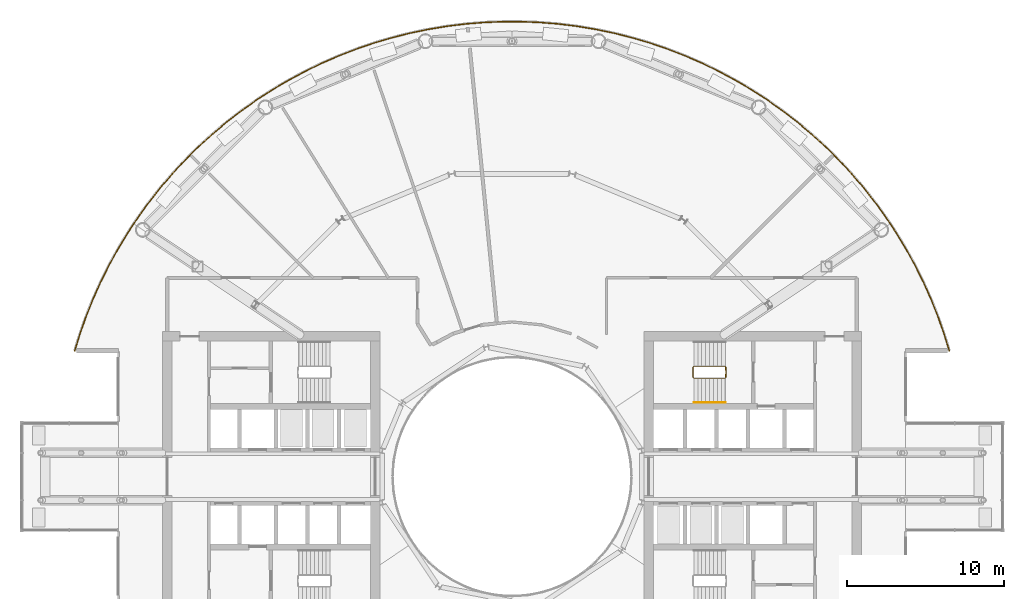
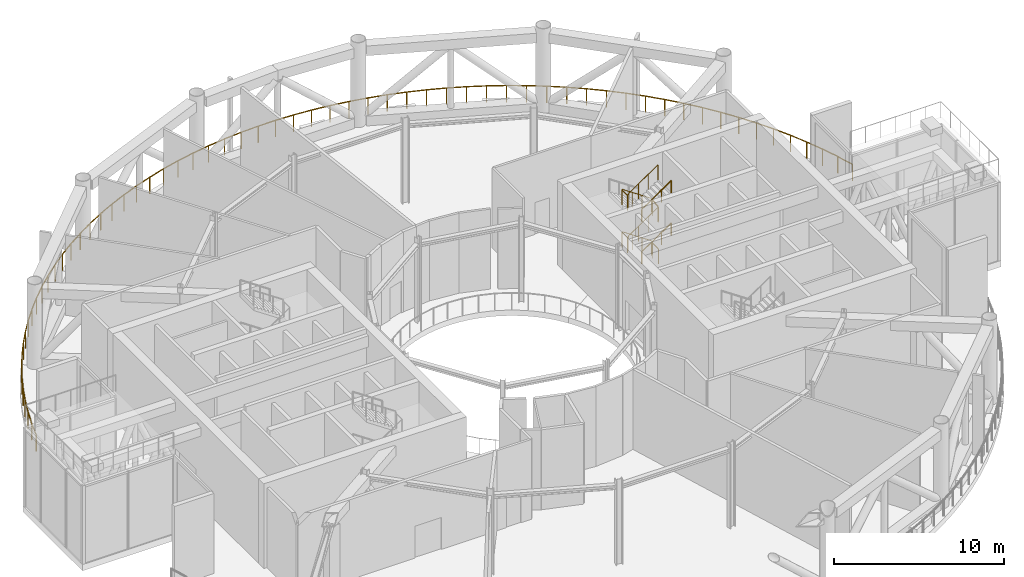
# One storey, part 23 of 25: 4 railings.
"""IFC4 building model written with IfcOpenShell, lengths in metres."""

from ifc_helpers import new_model, si_unit, direction, frame, origin, origin_2d, place, context, subcontext, project, spatial, circle, extrude, material, type_object, element, save


model = new_model("IFC4")

# Units and contexts
model_context = context("Model", 3, precision=1e-05, world=origin(), true_north=direction((0.0, 1.0)))
body_context = subcontext(model_context, "Body", "Model", "MODEL_VIEW")
ifc_project = project(units=[si_unit("LENGTHUNIT", "METRE"), si_unit("AREAUNIT", "SQUARE_METRE"), si_unit("VOLUMEUNIT", "CUBIC_METRE"), si_unit("PLANEANGLEUNIT", "RADIAN"), si_unit("MASSUNIT", "GRAM", prefix="KILO")], contexts=[model_context])

# Site, building, storey
site_placement = place(None, origin())
site = spatial("IfcSite", under=ifc_project, at=site_placement, CompositionType="ELEMENT")
building_placement = place(site_placement, origin())
building = spatial("IfcBuilding", under=site, at=building_placement, Name="Maasbend Ring Residences", CompositionType="ELEMENT")
storey_placement = place(building_placement, frame((0.0, 0.0, 139.10009765625)))
storey = spatial("IfcBuildingStorey", under=building, at=storey_placement, Name="L40", CompositionType="ELEMENT", Elevation=139.10009765625)

# Railings
ifc_material_1 = material(Name="Stainless steel 316 and glass", Category="steel")
railing_type_1 = type_object("IfcRailingType", Name="RL-GUARD", PredefinedType="GUARDRAIL", material=ifc_material_1)
railing_1_placement = place(storey_placement, frame((27.778564453125, 7.972412109375, 0.0)))
element("IfcRailing", 1, at=railing_1_placement, inside=storey, type_object=railing_type_1, Name="Garden guard outer 1", PredefinedType="GUARDRAIL", context=body_context, shape_type="SweptSolid", body=[
    extrude(circle(Radius=0.02490234375, at=origin_2d()), frame((0.0, 0.0, 1.1748046875), z_axis=(-0.295504624123, 0.95534130923, 0.0), x_axis=(-0.95534130923, -0.295504624123, 0.0)), (0.0, 0.0, 1.0), 1.184814453125),
    extrude(circle(Radius=0.02490234375, at=origin_2d()), frame((-0.35009765625, 1.1318359375, 1.1748046875), z_axis=(-0.334285842511, 0.94247173724, 0.0), x_axis=(-0.94247173724, -0.334285842511, 0.0)), (0.0, 0.0, 1.0), 1.1845703125),
    extrude(circle(Radius=0.02490234375, at=origin_2d()), frame((-0.74609375, 2.248291015625, 1.1748046875), z_axis=(-0.372847180885, 0.927892763042, 0.0), x_axis=(-0.927892763042, -0.372847180885, 0.0)), (0.0, 0.0, 1.0), 1.1845703125),
    extrude(circle(Radius=0.02490234375, at=origin_2d()), frame((-1.187744140625, 3.347412109375, 1.1748046875), z_axis=(-0.410493199792, 0.911863659175, 0.0), x_axis=(-0.911863659175, -0.410493199792, 0.0)), (0.0, 0.0, 1.0), 1.184814453125),
    extrude(circle(Radius=0.02490234375, at=origin_2d()), frame((-1.674072265625, 4.427734375, 1.1748046875), z_axis=(-0.447460908245, 0.894303491882, 0.0), x_axis=(-0.894303491882, -0.447460908245, 0.0)), (0.0, 0.0, 1.0), 1.1845703125),
    extrude(circle(Radius=0.02490234375, at=origin_2d()), frame((-2.2041015625, 5.487060546875, 1.1748046875), z_axis=(-0.483839805506, 0.875156581766, 0.0), x_axis=(-0.875156581766, -0.483839805506, 0.0)), (0.0, 0.0, 1.0), 1.184814453125),
    extrude(circle(Radius=0.02490234375, at=origin_2d()), frame((-2.77734375, 6.52392578125, 1.1748046875), z_axis=(-0.51915559987, 0.854679743017, 0.0), x_axis=(-0.854679743017, -0.51915559987, 0.0)), (0.0, 0.0, 1.0), 1.1845703125),
    extrude(circle(Radius=0.02490234375, at=origin_2d()), frame((-3.392333984375, 7.536376953125, 1.1748046875), z_axis=(-0.553796190877, 0.832652255729, 0.0), x_axis=(-0.832652255729, -0.553796190877, 0.0)), (0.0, 0.0, 1.0), 1.1845703125),
    extrude(circle(Radius=0.02490234375, at=origin_2d()), frame((-4.04833984375, 8.522705078125, 1.1748046875), z_axis=(-0.58749759803, 0.809225909317, 0.0), x_axis=(-0.809225909317, -0.58749759803, 0.0)), (0.0, 0.0, 1.0), 1.184814453125),
    extrude(circle(Radius=0.02490234375, at=origin_2d()), frame((-4.744384765625, 9.4814453125, 1.1748046875), z_axis=(-0.620185444157, 0.78445523445, 0.0), x_axis=(-0.78445523445, -0.620185444157, 0.0)), (0.0, 0.0, 1.0), 1.1845703125),
    extrude(circle(Radius=0.02490234375, at=origin_2d()), frame((-5.47900390625, 10.41064453125, 1.1748046875), z_axis=(-0.65182600946, 0.758368547206, 0.0), x_axis=(-0.758368547206, -0.65182600946, 0.0)), (0.0, 0.0, 1.0), 1.184814453125),
    extrude(circle(Radius=0.02490234375, at=origin_2d()), frame((-6.251220703125, 11.30908203125, 1.1748046875), z_axis=(-0.682156690758, 0.731206023809, 0.0), x_axis=(-0.731206023809, -0.682156690758, 0.0)), (0.0, 0.0, 1.0), 1.1845703125),
    extrude(circle(Radius=0.02490234375, at=origin_2d()), frame((-7.059326171875, 12.17529296875, 1.1748046875), z_axis=(-0.711830937603, 0.702350849841, 0.0), x_axis=(-0.702350849841, -0.711830937603, 0.0)), (0.0, 0.0, 1.0), 1.1845703125),
    extrude(circle(Radius=0.02490234375, at=origin_2d()), frame((-7.902587890625, 13.00732421875, 1.1748046875), z_axis=(-0.739800189204, 0.672826634471, 0.0), x_axis=(-0.672826634471, -0.739800189204, 0.0)), (0.0, 0.0, 1.0), 1.184814453125),
    extrude(circle(Radius=0.02490234375, at=origin_2d()), frame((-8.779052734375, 13.804443359375, 1.1748046875), z_axis=(-0.766885051085, 0.641784479731, 0.0), x_axis=(-0.641784479731, -0.766885051085, 0.0)), (0.0, 0.0, 1.0), 1.1845703125),
    extrude(circle(Radius=0.02490234375, at=origin_2d()), frame((-9.6875, 14.564697265625, 1.1748046875), z_axis=(-0.792493715501, 0.609880079107, 0.0), x_axis=(-0.609880079107, -0.792493715501, 0.0)), (0.0, 0.0, 1.0), 1.1845703125),
    extrude(circle(Radius=0.02490234375, at=origin_2d()), frame((-10.626220703125, 15.287109375, 1.1748046875), z_axis=(-0.816785089041, 0.576942040695, 0.0), x_axis=(-0.576942040695, -0.816785089041, 0.0)), (0.0, 0.0, 1.0), 1.184814453125),
    extrude(circle(Radius=0.02490234375, at=origin_2d()), frame((-11.593994140625, 15.970703125, 1.1748046875), z_axis=(-0.839829939632, 0.542849585519, 0.0), x_axis=(-0.542849585519, -0.839829939632, 0.0)), (0.0, 0.0, 1.0), 1.1845703125),
    extrude(circle(Radius=0.02490234375, at=origin_2d()), frame((-12.5888671875, 16.61376953125, 1.1748046875), z_axis=(-0.861324276781, 0.508055597575, 0.0), x_axis=(-0.508055597575, -0.861324276781, 0.0)), (0.0, 0.0, 1.0), 1.1845703125),
    extrude(circle(Radius=0.02490234375, at=origin_2d()), frame((-13.609130859375, 17.215576171875, 1.1748046875), z_axis=(-0.881415624836, 0.472341503887, 0.0), x_axis=(-0.472341503887, -0.881415624836, 0.0)), (0.0, 0.0, 1.0), 1.1845703125),
    extrude(circle(Radius=0.02490234375, at=origin_2d()), frame((-14.6533203125, 17.775146484375, 1.1748046875), z_axis=(-0.900002799964, 0.435884113104, 0.0), x_axis=(-0.435884113104, -0.900002799964, 0.0)), (0.0, 0.0, 1.0), 1.1845703125),
    extrude(circle(Radius=0.02490234375, at=origin_2d()), frame((-15.719482421875, 18.29150390625, 1.1748046875), z_axis=(-0.917129024526, 0.398590456951, 0.0), x_axis=(-0.398590456951, -0.917129024526, 0.0)), (0.0, 0.0, 1.0), 1.1845703125),
    extrude(circle(Radius=0.02490234375, at=origin_2d()), frame((-16.805908203125, 18.763671875, 1.1748046875), z_axis=(-0.932706782024, 0.360635631582, 0.0), x_axis=(-0.360635631582, -0.932706782024, 0.0)), (0.0, 0.0, 1.0), 1.184814453125),
    extrude(circle(Radius=0.02490234375, at=origin_2d()), frame((-17.910888671875, 19.19091796875, 1.1748046875), z_axis=(-0.946770232419, 0.321910122559, 0.0), x_axis=(-0.321910122559, -0.946770232419, 0.0)), (0.0, 0.0, 1.0), 1.1845703125),
    extrude(circle(Radius=0.02490234375, at=origin_2d()), frame((-19.032470703125, 19.572265625, 1.1748046875), z_axis=(-0.959076230705, 0.283147989039, 0.0), x_axis=(-0.283147989039, -0.959076230705, 0.0)), (0.0, 0.0, 1.0), 1.184814453125),
    extrude(circle(Radius=0.02490234375, at=origin_2d()), frame((-20.168701171875, 19.90771484375, 1.1748046875), z_axis=(-0.969923880017, 0.243408436528, 0.0), x_axis=(-0.243408436528, -0.969923880017, 0.0)), (0.0, 0.0, 1.0), 1.1845703125),
    extrude(circle(Radius=0.02490234375, at=origin_2d()), frame((-21.317626953125, 20.196044921875, 1.1748046875), z_axis=(-0.979054075839, 0.203600384536, 0.0), x_axis=(-0.203600384536, -0.979054075839, 0.0)), (0.0, 0.0, 1.0), 1.184814453125),
    extrude(circle(Radius=0.02490234375, at=origin_2d()), frame((-22.4775390625, 20.437255859375, 1.1748046875), z_axis=(-0.986588187234, 0.163229129787, 0.0), x_axis=(-0.163229129787, -0.986588187234, 0.0)), (0.0, 0.0, 1.0), 1.1845703125),
    extrude(circle(Radius=0.02490234375, at=origin_2d()), frame((-23.646240234375, 20.630615234375, 1.1748046875), z_axis=(-0.992454401235, 0.122614279222, 0.0), x_axis=(-0.122614279222, -0.992454401235, 0.0)), (0.0, 0.0, 1.0), 1.184814453125),
    extrude(circle(Radius=0.02490234375, at=origin_2d()), frame((-24.822021484375, 20.77587890625, 1.1748046875), z_axis=(-0.996630509683, 0.082022113907, 0.0), x_axis=(-0.082022113907, -0.996630509683, 0.0)), (0.0, 0.0, 1.0), 1.1845703125),
    extrude(circle(Radius=0.02490234375, at=origin_2d()), frame((-26.002685546875, 20.873046875, 1.1748046875), z_axis=(-0.999158599932, 0.041013317118, 0.0), x_axis=(-0.041013317118, -0.999158599932, 0.0)), (0.0, 0.0, 1.0), 1.1845703125),
    extrude(circle(Radius=0.02490234375, at=origin_2d()), frame((-27.186279296875, 20.921630859375, 1.1748046875), z_axis=(-1.0, 0.0, 0.0), x_axis=(0.0, -1.0, 0.0)), (0.0, 0.0, 1.0), 1.1845703125),
    extrude(circle(Radius=0.02490234375, at=origin_2d()), frame((-28.370849609375, 20.921630859375, 1.1748046875), z_axis=(-0.999158599932, -0.041013317118, 0.0), x_axis=(0.041013317118, -0.999158599932, 0.0)), (0.0, 0.0, 1.0), 1.1845703125),
    extrude(circle(Radius=0.02490234375, at=origin_2d()), frame((-29.554443359375, 20.873046875, 1.1748046875), z_axis=(-0.996630509683, -0.082022113907, 0.0), x_axis=(0.082022113907, -0.996630509683, 0.0)), (0.0, 0.0, 1.0), 1.1845703125),
    extrude(circle(Radius=0.02490234375, at=origin_2d()), frame((-30.735107421875, 20.77587890625, 1.1748046875), z_axis=(-0.992454401235, -0.122614279222, 0.0), x_axis=(0.122614279222, -0.992454401235, 0.0)), (0.0, 0.0, 1.0), 1.184814453125),
    extrude(circle(Radius=0.02490234375, at=origin_2d()), frame((-31.910888671875, 20.630615234375, 1.1748046875), z_axis=(-0.986588187234, -0.163229129787, 0.0), x_axis=(0.163229129787, -0.986588187234, 0.0)), (0.0, 0.0, 1.0), 1.1845703125),
    extrude(circle(Radius=0.02490234375, at=origin_2d()), frame((-33.07958984375, 20.437255859375, 1.1748046875), z_axis=(-0.979054075839, -0.203600384536, 0.0), x_axis=(0.203600384536, -0.979054075839, 0.0)), (0.0, 0.0, 1.0), 1.184814453125),
    extrude(circle(Radius=0.02490234375, at=origin_2d()), frame((-34.239501953125, 20.196044921875, 1.1748046875), z_axis=(-0.969923880017, -0.243408436528, 0.0), x_axis=(0.243408436528, -0.969923880017, 0.0)), (0.0, 0.0, 1.0), 1.1845703125),
    extrude(circle(Radius=0.02490234375, at=origin_2d()), frame((-35.388427734375, 19.90771484375, 1.1748046875), z_axis=(-0.959076230705, -0.283147989039, 0.0), x_axis=(0.283147989039, -0.959076230705, 0.0)), (0.0, 0.0, 1.0), 1.184814453125),
    extrude(circle(Radius=0.02490234375, at=origin_2d()), frame((-36.524658203125, 19.572265625, 1.1748046875), z_axis=(-0.946770232419, -0.321910122559, 0.0), x_axis=(0.321910122559, -0.946770232419, 0.0)), (0.0, 0.0, 1.0), 1.1845703125),
    extrude(circle(Radius=0.02490234375, at=origin_2d()), frame((-37.646240234375, 19.19091796875, 1.1748046875), z_axis=(-0.932706782024, -0.360635631582, 0.0), x_axis=(0.360635631582, -0.932706782024, 0.0)), (0.0, 0.0, 1.0), 1.184814453125),
    extrude(circle(Radius=0.02490234375, at=origin_2d()), frame((-38.751220703125, 18.763671875, 1.1748046875), z_axis=(-0.917129024526, -0.398590456951, 0.0), x_axis=(0.398590456951, -0.917129024526, 0.0)), (0.0, 0.0, 1.0), 1.1845703125),
    extrude(circle(Radius=0.02490234375, at=origin_2d()), frame((-39.837646484375, 18.29150390625, 1.1748046875), z_axis=(-0.900002799964, -0.435884113104, 0.0), x_axis=(0.435884113104, -0.900002799964, 0.0)), (0.0, 0.0, 1.0), 1.1845703125),
    extrude(circle(Radius=0.02490234375, at=origin_2d()), frame((-40.90380859375, 17.775146484375, 1.1748046875), z_axis=(-0.881415624836, -0.472341503887, 0.0), x_axis=(0.472341503887, -0.881415624836, 0.0)), (0.0, 0.0, 1.0), 1.1845703125),
    extrude(circle(Radius=0.02490234375, at=origin_2d()), frame((-41.947998046875, 17.215576171875, 1.1748046875), z_axis=(-0.861324276781, -0.508055597575, 0.0), x_axis=(0.508055597575, -0.861324276781, 0.0)), (0.0, 0.0, 1.0), 1.1845703125),
    extrude(circle(Radius=0.02490234375, at=origin_2d()), frame((-42.96826171875, 16.61376953125, 1.1748046875), z_axis=(-0.839829939632, -0.542849585519, 0.0), x_axis=(0.542849585519, -0.839829939632, 0.0)), (0.0, 0.0, 1.0), 1.1845703125),
    extrude(circle(Radius=0.02490234375, at=origin_2d()), frame((-43.963134765625, 15.970703125, 1.1748046875), z_axis=(-0.816785089041, -0.576942040695, 0.0), x_axis=(0.576942040695, -0.816785089041, 0.0)), (0.0, 0.0, 1.0), 1.184814453125),
    extrude(circle(Radius=0.02490234375, at=origin_2d()), frame((-44.930908203125, 15.287109375, 1.1748046875), z_axis=(-0.792493715501, -0.609880079107, 0.0), x_axis=(0.609880079107, -0.792493715501, 0.0)), (0.0, 0.0, 1.0), 1.1845703125),
    extrude(circle(Radius=0.02490234375, at=origin_2d()), frame((-45.86962890625, 14.564697265625, 1.1748046875), z_axis=(-0.766885051085, -0.641784479731, 0.0), x_axis=(0.641784479731, -0.766885051085, 0.0)), (0.0, 0.0, 1.0), 1.1845703125),
    extrude(circle(Radius=0.02490234375, at=origin_2d()), frame((-46.778076171875, 13.804443359375, 1.1748046875), z_axis=(-0.739800189204, -0.672826634471, 0.0), x_axis=(0.672826634471, -0.739800189204, 0.0)), (0.0, 0.0, 1.0), 1.184814453125),
    extrude(circle(Radius=0.02490234375, at=origin_2d()), frame((-47.654541015625, 13.00732421875, 1.1748046875), z_axis=(-0.711830937603, -0.702350849841, 0.0), x_axis=(0.702350849841, -0.711830937603, 0.0)), (0.0, 0.0, 1.0), 1.1845703125),
    extrude(circle(Radius=0.02490234375, at=origin_2d()), frame((-48.497802734375, 12.17529296875, 1.1748046875), z_axis=(-0.682156690758, -0.731206023809, 0.0), x_axis=(0.731206023809, -0.682156690758, 0.0)), (0.0, 0.0, 1.0), 1.1845703125),
    extrude(circle(Radius=0.02490234375, at=origin_2d()), frame((-49.305908203125, 11.30908203125, 1.1748046875), z_axis=(-0.65182600946, -0.758368547206, 0.0), x_axis=(0.758368547206, -0.65182600946, 0.0)), (0.0, 0.0, 1.0), 1.184814453125),
    extrude(circle(Radius=0.02490234375, at=origin_2d()), frame((-50.078125, 10.41064453125, 1.1748046875), z_axis=(-0.620185444157, -0.78445523445, 0.0), x_axis=(0.78445523445, -0.620185444157, 0.0)), (0.0, 0.0, 1.0), 1.1845703125),
    extrude(circle(Radius=0.02490234375, at=origin_2d()), frame((-50.812744140625, 9.4814453125, 1.1748046875), z_axis=(-0.58749759803, -0.809225909317, 0.0), x_axis=(0.809225909317, -0.58749759803, 0.0)), (0.0, 0.0, 1.0), 1.184814453125),
    extrude(circle(Radius=0.02490234375, at=origin_2d()), frame((-51.5087890625, 8.522705078125, 1.1748046875), z_axis=(-0.553796190877, -0.832652255729, 0.0), x_axis=(0.832652255729, -0.553796190877, 0.0)), (0.0, 0.0, 1.0), 1.1845703125),
    extrude(circle(Radius=0.02490234375, at=origin_2d()), frame((-52.164794921875, 7.536376953125, 1.1748046875), z_axis=(-0.51915559987, -0.854679743017, 0.0), x_axis=(0.854679743017, -0.51915559987, 0.0)), (0.0, 0.0, 1.0), 1.1845703125),
    extrude(circle(Radius=0.02490234375, at=origin_2d()), frame((-52.77978515625, 6.52392578125, 1.1748046875), z_axis=(-0.483839805506, -0.875156581766, 0.0), x_axis=(0.875156581766, -0.483839805506, 0.0)), (0.0, 0.0, 1.0), 1.184814453125),
    extrude(circle(Radius=0.02490234375, at=origin_2d()), frame((-53.35302734375, 5.487060546875, 1.1748046875), z_axis=(-0.447460908245, -0.894303491882, 0.0), x_axis=(0.894303491882, -0.447460908245, 0.0)), (0.0, 0.0, 1.0), 1.1845703125),
    extrude(circle(Radius=0.02490234375, at=origin_2d()), frame((-53.883056640625, 4.427734375, 1.1748046875), z_axis=(-0.410493199792, -0.911863659175, 0.0), x_axis=(0.911863659175, -0.410493199792, 0.0)), (0.0, 0.0, 1.0), 1.184814453125),
    extrude(circle(Radius=0.02490234375, at=origin_2d()), frame((-54.369384765625, 3.347412109375, 1.1748046875), z_axis=(-0.372847180885, -0.927892763042, 0.0), x_axis=(0.927892763042, -0.372847180885, 0.0)), (0.0, 0.0, 1.0), 1.1845703125),
    extrude(circle(Radius=0.02490234375, at=origin_2d()), frame((-54.81103515625, 2.248291015625, 1.1748046875), z_axis=(-0.334285842511, -0.94247173724, 0.0), x_axis=(0.94247173724, -0.334285842511, 0.0)), (0.0, 0.0, 1.0), 1.1845703125),
    extrude(circle(Radius=0.02490234375, at=origin_2d()), frame((-55.20703125, 1.1318359375, 1.1748046875), z_axis=(-0.295504624123, -0.95534130923, 0.0), x_axis=(0.95534130923, -0.295504624123, 0.0)), (0.0, 0.0, 1.0), 1.184814453125),
    extrude(circle(Radius=0.02001953125, at=origin_2d()), origin(), (0.0, 0.0, 1.0), 1.14990234375),
    extrude(circle(Radius=0.02001953125, at=origin_2d()), frame((-0.35009765625, 1.1318359375, 0.0)), (0.0, 0.0, 1.0), 1.14990234375),
    extrude(circle(Radius=0.02001953125, at=origin_2d()), frame((-0.74609375, 2.248291015625, 0.0)), (0.0, 0.0, 1.0), 1.14990234375),
    extrude(circle(Radius=0.02001953125, at=origin_2d()), frame((-1.187744140625, 3.347412109375, 0.0)), (0.0, 0.0, 1.0), 1.14990234375),
    extrude(circle(Radius=0.02001953125, at=origin_2d()), frame((-1.674072265625, 4.427734375, 0.0)), (0.0, 0.0, 1.0), 1.14990234375),
    extrude(circle(Radius=0.02001953125, at=origin_2d()), frame((-2.2041015625, 5.487060546875, 0.0)), (0.0, 0.0, 1.0), 1.14990234375),
    extrude(circle(Radius=0.02001953125, at=origin_2d()), frame((-2.77734375, 6.52392578125, 0.0)), (0.0, 0.0, 1.0), 1.14990234375),
    extrude(circle(Radius=0.02001953125, at=origin_2d()), frame((-3.392333984375, 7.536376953125, 0.0)), (0.0, 0.0, 1.0), 1.14990234375),
    extrude(circle(Radius=0.02001953125, at=origin_2d()), frame((-4.04833984375, 8.522705078125, 0.0)), (0.0, 0.0, 1.0), 1.14990234375),
    extrude(circle(Radius=0.02001953125, at=origin_2d()), frame((-4.744384765625, 9.4814453125, 0.0)), (0.0, 0.0, 1.0), 1.14990234375),
    extrude(circle(Radius=0.02001953125, at=origin_2d()), frame((-5.47900390625, 10.41064453125, 0.0)), (0.0, 0.0, 1.0), 1.14990234375),
    extrude(circle(Radius=0.02001953125, at=origin_2d()), frame((-6.251220703125, 11.30908203125, 0.0)), (0.0, 0.0, 1.0), 1.14990234375),
    extrude(circle(Radius=0.02001953125, at=origin_2d()), frame((-7.059326171875, 12.17529296875, 0.0)), (0.0, 0.0, 1.0), 1.14990234375),
    extrude(circle(Radius=0.02001953125, at=origin_2d()), frame((-7.902587890625, 13.00732421875, 0.0)), (0.0, 0.0, 1.0), 1.14990234375),
    extrude(circle(Radius=0.02001953125, at=origin_2d()), frame((-8.779052734375, 13.804443359375, 0.0)), (0.0, 0.0, 1.0), 1.14990234375),
    extrude(circle(Radius=0.02001953125, at=origin_2d()), frame((-9.6875, 14.564697265625, 0.0)), (0.0, 0.0, 1.0), 1.14990234375),
    extrude(circle(Radius=0.02001953125, at=origin_2d()), frame((-10.626220703125, 15.287109375, 0.0)), (0.0, 0.0, 1.0), 1.14990234375),
    extrude(circle(Radius=0.02001953125, at=origin_2d()), frame((-11.593994140625, 15.970703125, 0.0)), (0.0, 0.0, 1.0), 1.14990234375),
    extrude(circle(Radius=0.02001953125, at=origin_2d()), frame((-12.5888671875, 16.61376953125, 0.0)), (0.0, 0.0, 1.0), 1.14990234375),
    extrude(circle(Radius=0.02001953125, at=origin_2d()), frame((-13.609130859375, 17.215576171875, 0.0)), (0.0, 0.0, 1.0), 1.14990234375),
    extrude(circle(Radius=0.02001953125, at=origin_2d()), frame((-14.6533203125, 17.775146484375, 0.0)), (0.0, 0.0, 1.0), 1.14990234375),
    extrude(circle(Radius=0.02001953125, at=origin_2d()), frame((-15.719482421875, 18.29150390625, 0.0)), (0.0, 0.0, 1.0), 1.14990234375),
    extrude(circle(Radius=0.02001953125, at=origin_2d()), frame((-16.805908203125, 18.763671875, 0.0)), (0.0, 0.0, 1.0), 1.14990234375),
    extrude(circle(Radius=0.02001953125, at=origin_2d()), frame((-17.910888671875, 19.19091796875, 0.0)), (0.0, 0.0, 1.0), 1.14990234375),
    extrude(circle(Radius=0.02001953125, at=origin_2d()), frame((-19.032470703125, 19.572265625, 0.0)), (0.0, 0.0, 1.0), 1.14990234375),
    extrude(circle(Radius=0.02001953125, at=origin_2d()), frame((-20.168701171875, 19.90771484375, 0.0)), (0.0, 0.0, 1.0), 1.14990234375),
    extrude(circle(Radius=0.02001953125, at=origin_2d()), frame((-21.317626953125, 20.196044921875, 0.0)), (0.0, 0.0, 1.0), 1.14990234375),
    extrude(circle(Radius=0.02001953125, at=origin_2d()), frame((-22.4775390625, 20.437255859375, 0.0)), (0.0, 0.0, 1.0), 1.14990234375),
    extrude(circle(Radius=0.02001953125, at=origin_2d()), frame((-23.646240234375, 20.630615234375, 0.0)), (0.0, 0.0, 1.0), 1.14990234375),
    extrude(circle(Radius=0.02001953125, at=origin_2d()), frame((-24.822021484375, 20.77587890625, 0.0)), (0.0, 0.0, 1.0), 1.14990234375),
    extrude(circle(Radius=0.02001953125, at=origin_2d()), frame((-26.002685546875, 20.873046875, 0.0)), (0.0, 0.0, 1.0), 1.14990234375),
    extrude(circle(Radius=0.02001953125, at=origin_2d()), frame((-27.186279296875, 20.921630859375, 0.0)), (0.0, 0.0, 1.0), 1.14990234375),
    extrude(circle(Radius=0.02001953125, at=origin_2d()), frame((-28.370849609375, 20.921630859375, 0.0)), (0.0, 0.0, 1.0), 1.14990234375),
    extrude(circle(Radius=0.02001953125, at=origin_2d()), frame((-29.554443359375, 20.873046875, 0.0)), (0.0, 0.0, 1.0), 1.14990234375),
    extrude(circle(Radius=0.02001953125, at=origin_2d()), frame((-30.735107421875, 20.77587890625, 0.0)), (0.0, 0.0, 1.0), 1.14990234375),
    extrude(circle(Radius=0.02001953125, at=origin_2d()), frame((-31.910888671875, 20.630615234375, 0.0)), (0.0, 0.0, 1.0), 1.14990234375),
    extrude(circle(Radius=0.02001953125, at=origin_2d()), frame((-33.07958984375, 20.437255859375, 0.0)), (0.0, 0.0, 1.0), 1.14990234375),
    extrude(circle(Radius=0.02001953125, at=origin_2d()), frame((-34.239501953125, 20.196044921875, 0.0)), (0.0, 0.0, 1.0), 1.14990234375),
    extrude(circle(Radius=0.02001953125, at=origin_2d()), frame((-35.388427734375, 19.90771484375, 0.0)), (0.0, 0.0, 1.0), 1.14990234375),
    extrude(circle(Radius=0.02001953125, at=origin_2d()), frame((-36.524658203125, 19.572265625, 0.0)), (0.0, 0.0, 1.0), 1.14990234375),
    extrude(circle(Radius=0.02001953125, at=origin_2d()), frame((-37.646240234375, 19.19091796875, 0.0)), (0.0, 0.0, 1.0), 1.14990234375),
    extrude(circle(Radius=0.02001953125, at=origin_2d()), frame((-38.751220703125, 18.763671875, 0.0)), (0.0, 0.0, 1.0), 1.14990234375),
    extrude(circle(Radius=0.02001953125, at=origin_2d()), frame((-39.837646484375, 18.29150390625, 0.0)), (0.0, 0.0, 1.0), 1.14990234375),
    extrude(circle(Radius=0.02001953125, at=origin_2d()), frame((-40.90380859375, 17.775146484375, 0.0)), (0.0, 0.0, 1.0), 1.14990234375),
    extrude(circle(Radius=0.02001953125, at=origin_2d()), frame((-41.947998046875, 17.215576171875, 0.0)), (0.0, 0.0, 1.0), 1.14990234375),
    extrude(circle(Radius=0.02001953125, at=origin_2d()), frame((-42.96826171875, 16.61376953125, 0.0)), (0.0, 0.0, 1.0), 1.14990234375),
    extrude(circle(Radius=0.02001953125, at=origin_2d()), frame((-43.963134765625, 15.970703125, 0.0)), (0.0, 0.0, 1.0), 1.14990234375),
    extrude(circle(Radius=0.02001953125, at=origin_2d()), frame((-44.930908203125, 15.287109375, 0.0)), (0.0, 0.0, 1.0), 1.14990234375),
    extrude(circle(Radius=0.02001953125, at=origin_2d()), frame((-45.86962890625, 14.564697265625, 0.0)), (0.0, 0.0, 1.0), 1.14990234375),
    extrude(circle(Radius=0.02001953125, at=origin_2d()), frame((-46.778076171875, 13.804443359375, 0.0)), (0.0, 0.0, 1.0), 1.14990234375),
    extrude(circle(Radius=0.02001953125, at=origin_2d()), frame((-47.654541015625, 13.00732421875, 0.0)), (0.0, 0.0, 1.0), 1.14990234375),
    extrude(circle(Radius=0.02001953125, at=origin_2d()), frame((-48.497802734375, 12.17529296875, 0.0)), (0.0, 0.0, 1.0), 1.14990234375),
    extrude(circle(Radius=0.02001953125, at=origin_2d()), frame((-49.305908203125, 11.30908203125, 0.0)), (0.0, 0.0, 1.0), 1.14990234375),
    extrude(circle(Radius=0.02001953125, at=origin_2d()), frame((-50.078125, 10.41064453125, 0.0)), (0.0, 0.0, 1.0), 1.14990234375),
    extrude(circle(Radius=0.02001953125, at=origin_2d()), frame((-50.812744140625, 9.4814453125, 0.0)), (0.0, 0.0, 1.0), 1.14990234375),
    extrude(circle(Radius=0.02001953125, at=origin_2d()), frame((-51.5087890625, 8.522705078125, 0.0)), (0.0, 0.0, 1.0), 1.14990234375),
    extrude(circle(Radius=0.02001953125, at=origin_2d()), frame((-52.164794921875, 7.536376953125, 0.0)), (0.0, 0.0, 1.0), 1.14990234375),
    extrude(circle(Radius=0.02001953125, at=origin_2d()), frame((-52.77978515625, 6.52392578125, 0.0)), (0.0, 0.0, 1.0), 1.14990234375),
    extrude(circle(Radius=0.02001953125, at=origin_2d()), frame((-53.35302734375, 5.487060546875, 0.0)), (0.0, 0.0, 1.0), 1.14990234375),
    extrude(circle(Radius=0.02001953125, at=origin_2d()), frame((-53.883056640625, 4.427734375, 0.0)), (0.0, 0.0, 1.0), 1.14990234375),
    extrude(circle(Radius=0.02001953125, at=origin_2d()), frame((-54.369384765625, 3.347412109375, 0.0)), (0.0, 0.0, 1.0), 1.14990234375),
    extrude(circle(Radius=0.02001953125, at=origin_2d()), frame((-54.81103515625, 2.248291015625, 0.0)), (0.0, 0.0, 1.0), 1.14990234375),
    extrude(circle(Radius=0.02001953125, at=origin_2d()), frame((-55.20703125, 1.1318359375, 0.0)), (0.0, 0.0, 1.0), 1.14990234375),
    extrude(circle(Radius=0.02001953125, at=origin_2d()), frame((-55.55712890625, 0.0, 0.0)), (0.0, 0.0, 1.0), 1.14990234375),
])
ifc_material_2 = material(Name="Stainless steel 316", Category="steel")
railing_type_2 = type_object("IfcRailingType", Name="STAIR GUARD 1100", PredefinedType="GUARDRAIL", material=ifc_material_2)
railing_2_placement = place(storey_placement, frame((13.60009765625, 6.300048828125, 0.0)))
element("IfcRailing", 2, at=railing_2_placement, inside=storey, type_object=railing_type_2, Name="L40 ST-E1 stair guard 1", PredefinedType="GUARDRAIL", context=body_context, shape_type="SweptSolid", body=[
    extrude(circle(Radius=0.02392578125, at=origin_2d()), frame((0.0, 0.0, 1.076171875), z_axis=(0.0, 1.0, 0.0), x_axis=(-1.0, 0.0, 0.0)), (0.0, 0.0, 1.0), 0.64990234375),
    extrude(circle(Radius=0.02392578125, at=origin_2d()), frame((0.0, 0.64990234375, 1.076171875), z_axis=(-0.272562526181, 0.272562526181, 0.92272386912), x_axis=(-0.707106781187, -0.707106781187, 0.0)), (0.0, 0.0, 1.0), 0.18359375),
    extrude(circle(Radius=0.02392578125, at=origin_2d()), frame((-0.050048828125, 0.699951171875, 1.24560546875), z_axis=(-0.827797584762, 0.0, 0.561026878735), x_axis=(0.0, -1.0, 0.0)), (0.0, 0.0, 1.0), 2.416015625),
    extrude(circle(Radius=0.02392578125, at=origin_2d()), frame((-2.050048828125, 0.699951171875, 2.60107421875), z_axis=(-0.707106781187, -0.707106781187, 0.0), x_axis=(0.707106781187, -0.707106781187, 0.0)), (0.0, 0.0, 1.0), 0.07080078125),
    extrude(circle(Radius=0.02392578125, at=origin_2d()), frame((-2.10009765625, 0.64990234375, 2.60107421875), z_axis=(0.0, -1.0, 0.0), x_axis=(1.0, 0.0, 0.0)), (0.0, 0.0, 1.0), 0.64990234375),
    extrude(circle(Radius=0.02392578125, at=origin_2d()), frame((-2.10009765625, 0.0, 2.60107421875), z_axis=(0.272562526181, -0.272562526181, 0.92272386912), x_axis=(0.707106781187, 0.707106781187, 0.0)), (0.0, 0.0, 1.0), 0.18359375),
    extrude(circle(Radius=0.02392578125, at=origin_2d()), frame((-2.050048828125, -0.050048828125, 2.7705078125), z_axis=(0.827797584762, 0.0, 0.561026878735), x_axis=(0.0, 1.0, 0.0)), (0.0, 0.0, 1.0), 2.416015625),
    extrude(circle(Radius=0.02392578125, at=origin_2d()), frame((-0.050048828125, -0.050048828125, 4.1259765625), z_axis=(0.071321223157, 0.997453398975, 0.0), x_axis=(-0.997453398975, 0.071321223157, 0.0)), (0.0, 0.0, 1.0), 0.70166015625),
    extrude(circle(Radius=0.02392578125, at=origin_2d()), frame((0.0, 0.64990234375, 4.1259765625), z_axis=(0.0, -1.0, 0.0), x_axis=(1.0, 0.0, 0.0)), (0.0, 0.0, 1.0), 0.64990234375),
    extrude(circle(Radius=0.02392578125, at=origin_2d()), frame((0.0, 0.0, 4.1259765625), z_axis=(-0.069328998915, 0.969591414091, 0.234704025594), x_axis=(-0.997453398975, -0.071321223157, 0.0)), (0.0, 0.0, 1.0), 0.721923828125),
    extrude(circle(Radius=0.02392578125, at=origin_2d()), frame((-0.050048828125, 0.699951171875, 4.29541015625), z_axis=(-0.827750655447, 0.0, 0.561096116906), x_axis=(0.0, -1.0, 0.0)), (0.0, 0.0, 1.0), 2.416259765625),
    extrude(circle(Radius=0.02392578125, at=origin_2d()), frame((-2.050048828125, 0.699951171875, 5.65087890625), z_axis=(-0.707106781187, -0.707106781187, 0.0), x_axis=(0.707106781187, -0.707106781187, 0.0)), (0.0, 0.0, 1.0), 0.07080078125),
    extrude(circle(Radius=0.02392578125, at=origin_2d()), frame((-2.10009765625, 0.64990234375, 5.65087890625), z_axis=(0.0, -1.0, 0.0), x_axis=(1.0, 0.0, 0.0)), (0.0, 0.0, 1.0), 0.64990234375),
    extrude(circle(Radius=0.02392578125, at=origin_2d()), frame((-2.10009765625, 0.0, 5.65087890625), z_axis=(0.272562526181, -0.272562526181, 0.92272386912), x_axis=(0.707106781187, 0.707106781187, 0.0)), (0.0, 0.0, 1.0), 0.18359375),
    extrude(circle(Radius=0.02392578125, at=origin_2d()), frame((-2.050048828125, -0.050048828125, 5.8203125), z_axis=(0.827797584762, 0.0, 0.561026878735), x_axis=(0.0, 1.0, 0.0)), (0.0, 0.0, 1.0), 2.416015625),
    extrude(circle(Radius=0.02099609375, at=origin_2d()), origin(), (0.0, 0.0, 1.0), 1.052001953125),
    extrude(circle(Radius=0.02099609375, at=origin_2d()), frame((0.0, 0.64990234375, 0.0)), (0.0, 0.0, 1.0), 1.052001953125),
    extrude(circle(Radius=0.02099609375, at=origin_2d()), frame((-0.050048828125, 0.699951171875, 0.16943359375)), (0.0, 0.0, 1.0), 1.052001953125),
    extrude(circle(Radius=0.02099609375, at=origin_2d()), frame((-0.716796875, 0.699951171875, 0.621337890625)), (0.0, 0.0, 1.0), 1.052001953125),
    extrude(circle(Radius=0.02099609375, at=origin_2d()), frame((-1.38330078125, 0.699951171875, 1.072998046875)), (0.0, 0.0, 1.0), 1.052001953125),
    extrude(circle(Radius=0.02099609375, at=origin_2d()), frame((-2.050048828125, 0.699951171875, 1.52490234375)), (0.0, 0.0, 1.0), 1.052001953125),
    extrude(circle(Radius=0.02099609375, at=origin_2d()), frame((-2.10009765625, 0.64990234375, 1.52490234375)), (0.0, 0.0, 1.0), 1.052001953125),
    extrude(circle(Radius=0.02099609375, at=origin_2d()), frame((-2.10009765625, 0.0, 1.52490234375)), (0.0, 0.0, 1.0), 1.052001953125),
    extrude(circle(Radius=0.02099609375, at=origin_2d()), frame((-2.050048828125, -0.050048828125, 1.6943359375)), (0.0, 0.0, 1.0), 1.052001953125),
    extrude(circle(Radius=0.02099609375, at=origin_2d()), frame((-1.38330078125, -0.050048828125, 2.146240234375)), (0.0, 0.0, 1.0), 1.052001953125),
    extrude(circle(Radius=0.02099609375, at=origin_2d()), frame((-0.716796875, -0.050048828125, 2.597900390625)), (0.0, 0.0, 1.0), 1.052001953125),
    extrude(circle(Radius=0.02099609375, at=origin_2d()), frame((-0.050048828125, -0.050048828125, 3.0498046875)), (0.0, 0.0, 1.0), 1.052001953125),
    extrude(circle(Radius=0.02099609375, at=origin_2d()), frame((0.0, 0.64990234375, 3.0498046875)), (0.0, 0.0, 1.0), 1.052001953125),
    extrude(circle(Radius=0.02099609375, at=origin_2d()), frame((0.0, 0.0, 3.0498046875)), (0.0, 0.0, 1.0), 1.052001953125),
    extrude(circle(Radius=0.02099609375, at=origin_2d()), frame((-0.050048828125, 0.699951171875, 3.21923828125)), (0.0, 0.0, 1.0), 1.052001953125),
    extrude(circle(Radius=0.02099609375, at=origin_2d()), frame((-0.716796875, 0.699951171875, 3.671142578125)), (0.0, 0.0, 1.0), 1.052001953125),
    extrude(circle(Radius=0.02099609375, at=origin_2d()), frame((-1.38330078125, 0.699951171875, 4.123046875)), (0.0, 0.0, 1.0), 1.052001953125),
    extrude(circle(Radius=0.02099609375, at=origin_2d()), frame((-2.050048828125, 0.699951171875, 4.574951171875)), (0.0, 0.0, 1.0), 1.052001953125),
    extrude(circle(Radius=0.02099609375, at=origin_2d()), frame((-2.10009765625, 0.64990234375, 4.574951171875)), (0.0, 0.0, 1.0), 1.052001953125),
    extrude(circle(Radius=0.02099609375, at=origin_2d()), frame((-2.10009765625, 0.0, 4.574951171875)), (0.0, 0.0, 1.0), 1.052001953125),
    extrude(circle(Radius=0.02099609375, at=origin_2d()), frame((-2.050048828125, -0.050048828125, 4.744384765625)), (0.0, 0.0, 1.0), 1.052001953125),
    extrude(circle(Radius=0.02099609375, at=origin_2d()), frame((-1.38330078125, -0.050048828125, 5.1962890625)), (0.0, 0.0, 1.0), 1.052001953125),
    extrude(circle(Radius=0.02099609375, at=origin_2d()), frame((-0.716796875, -0.050048828125, 5.64794921875)), (0.0, 0.0, 1.0), 1.052001953125),
    extrude(circle(Radius=0.02099609375, at=origin_2d()), frame((-0.050048828125, -0.050048828125, 6.099853515625)), (0.0, 0.0, 1.0), 1.052001953125),
])
ifc_material_3 = material(Name="Stainless steel 316", Category="steel")
railing_type_3 = type_object("IfcRailingType", Name="STAIR HANDRAIL 900", PredefinedType="HANDRAIL", material=ifc_material_3)
for number, where, name in (
    (3, (11.550048828125, 4.699951171875, 1.6943359375), "L40 ST-E1 stair handrail 2"),
    (4, (11.550048828125, 4.699951171875, 4.744384765625), "L40 ST-E1 stair handrail 4"),
):
    element("IfcRailing", number, at=place(storey_placement, frame(where)), inside=storey, type_object=railing_type_3, Name=name, PredefinedType="HANDRAIL", context=body_context, shape_type="SweptSolid", body=[
        extrude(circle(Radius=0.02392578125, at=origin_2d()), frame((0.0, 0.0, 0.8759765625), z_axis=(0.827797584762, 0.0, 0.561026878735), x_axis=(0.0, 1.0, 0.0)), (0.0, 0.0, 1.0), 2.416015625),
        extrude(circle(Radius=0.02099609375, at=origin_2d()), origin(), (0.0, 0.0, 1.0), 0.851806640625),
        extrude(circle(Radius=0.02099609375, at=origin_2d()), frame((0.666748046875, 0.0, 0.451904296875)), (0.0, 0.0, 1.0), 0.851806640625),
        extrude(circle(Radius=0.02099609375, at=origin_2d()), frame((1.333251953125, 0.0, 0.903564453125)), (0.0, 0.0, 1.0), 0.851806640625),
        extrude(circle(Radius=0.02099609375, at=origin_2d()), frame((2.0, 0.0, 1.35546875)), (0.0, 0.0, 1.0), 0.851806640625),
    ])

save(model, "model.ifc")
